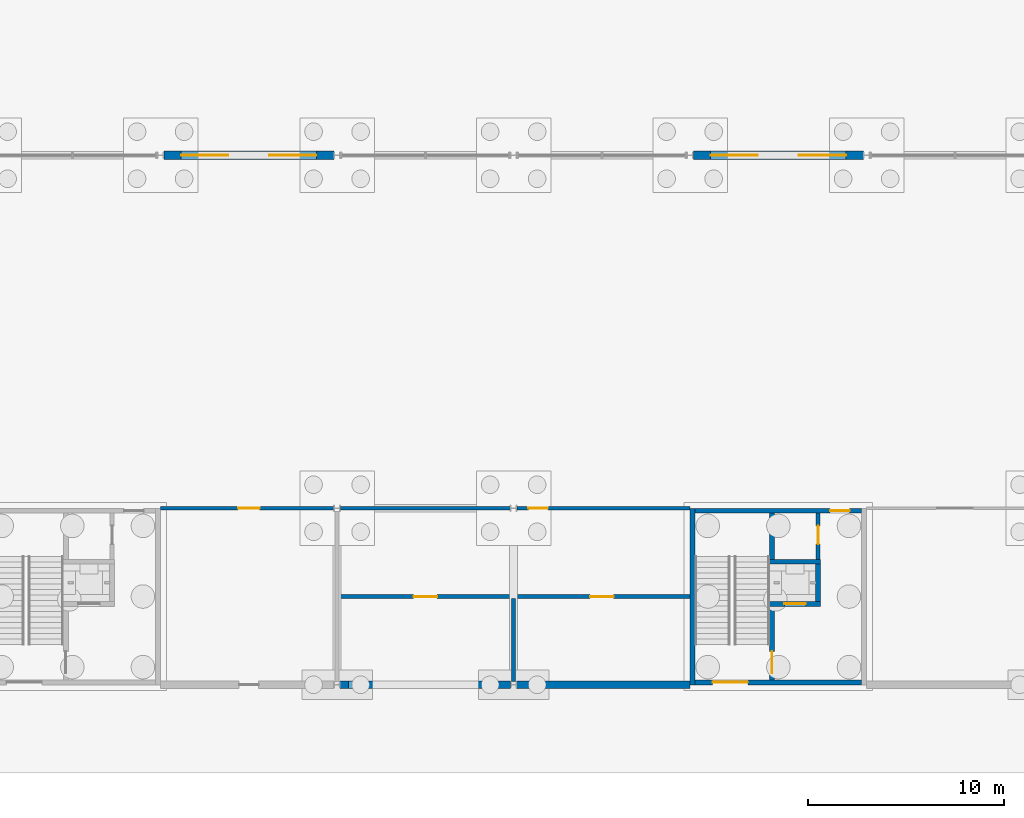
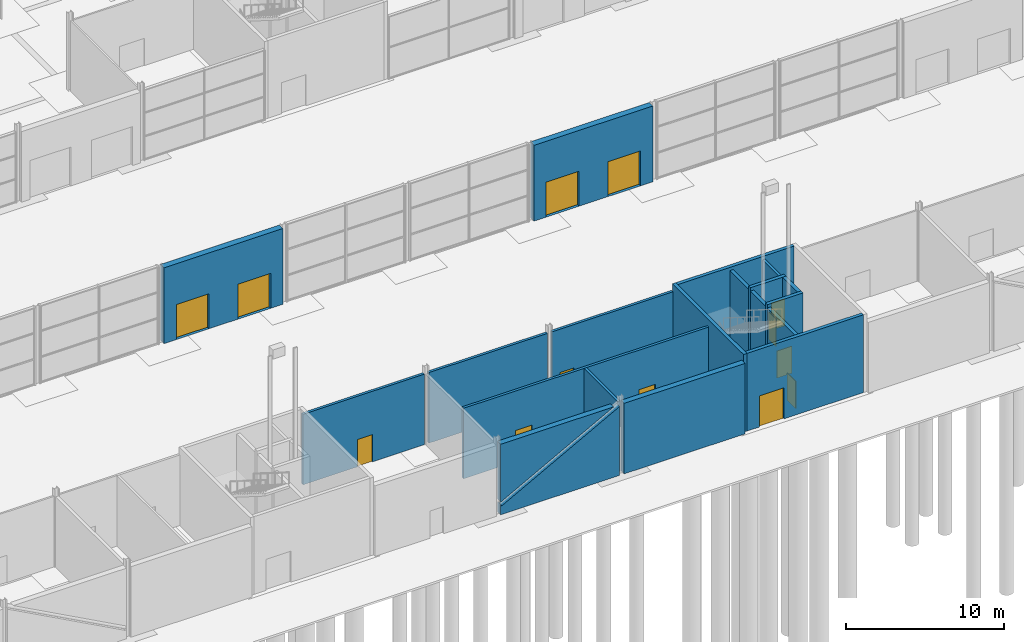
# One storey, part 64 of 97: 18 walls, 13 doors, 13 openings.
"""IFC4 building model written with IfcOpenShell, lengths in metres."""

import ifcopenshell
import ifcopenshell.guid

model = None  # the IFC model being written
_history = None  # IfcOwnerHistory: only IFC2X3 demands one
_inside = {}  # id of a spatial element -> (the spatial element, [elements in it])
_under = {}  # id of a project, library or spatial element -> (it, [spatial elements below it])
_declared = {}  # id of a project -> (the project, [libraries it declares])
_typed = {}  # id of a type object -> (the type object, [elements of that type])
_made_of = {}  # id of a material, layer set ... -> (it, [elements and type objects made of it])


def new_model(schema):
    """Start an empty IFC model of exactly this schema.

    Asked for "IFC4X3", IfcOpenShell would pick the latest addendum, in which some entities
    have other attributes; the version numbers below select the first issue.
    IFC2X3 requires an IfcOwnerHistory on every rooted entity: one is made here for all.
    """
    global model, _history
    if schema == "IFC4X3":
        model = ifcopenshell.file(schema_version=(4, 3, 0, 0))
    else:
        model = ifcopenshell.file(schema=schema)
    _inside.clear()
    _under.clear()
    _declared.clear()
    _typed.clear()
    _made_of.clear()
    _history = None
    if model.schema == "IFC2X3":
        org = make("IfcOrganization", Name="unknown")
        user = make(
            "IfcPersonAndOrganization",
            ThePerson=make("IfcPerson", FamilyName="unknown"),
            TheOrganization=org,
        )
        app = make(
            "IfcApplication",
            ApplicationDeveloper=org,
            Version="unknown",
            ApplicationFullName="unknown",
            ApplicationIdentifier="unknown",
        )
        _history = make(
            "IfcOwnerHistory",
            OwningUser=user,
            OwningApplication=app,
            ChangeAction="ADDED",
            CreationDate=0,
        )
    return model


def make(cls, **values):
    """One entity of the class cls with the attributes given. An attribute that is None is left unset."""
    return model.create_entity(
        cls, **{name: value for name, value in values.items() if value is not None}
    )


def rooted(cls, **values):
    """An entity with a GlobalId (a new one), such as an element, a storey or a relation."""
    return make(cls, GlobalId=ifcopenshell.guid.new(), OwnerHistory=_history, **values)


def si_unit(unit_type, name, prefix=None):
    """IfcSIUnit, for example si_unit("LENGTHUNIT", "METRE", prefix="MILLI")."""
    return make("IfcSIUnit", UnitType=unit_type, Prefix=prefix, Name=name)


def assignment(units):
    """IfcUnitAssignment: the units of a project."""
    return None if units is None else make("IfcUnitAssignment", Units=units)


def point(xyz):
    """IfcCartesianPoint."""
    return None if xyz is None else make("IfcCartesianPoint", Coordinates=xyz)


def direction(xyz):
    """IfcDirection."""
    return None if xyz is None else make("IfcDirection", DirectionRatios=xyz)


def frame(location, z_axis=None, x_axis=None):
    """IfcAxis2Placement3D, a coordinate frame: its origin and axes. An axis left out is left unset."""
    return make(
        "IfcAxis2Placement3D",
        Location=point(location),
        Axis=direction(z_axis),
        RefDirection=direction(x_axis),
    )


def frame_2d(location, x_axis=None):
    """IfcAxis2Placement2D, a coordinate frame in the plane: its origin and x axis."""
    return make(
        "IfcAxis2Placement2D", Location=point(location), RefDirection=direction(x_axis)
    )


def origin():
    """The frame at (0, 0, 0) with its axes left unset."""
    return frame((0.0, 0.0, 0.0))


def place(relative_to, where):
    """IfcLocalPlacement: puts the frame where relative to a parent placement (None: the world)."""
    return make(
        "IfcLocalPlacement", PlacementRelTo=relative_to, RelativePlacement=where
    )


def context(
    kind, dimensions, precision=None, world=None, true_north=None, identifier=None
):
    """IfcGeometricRepresentationContext, for example the 3D "Model" context."""
    return make(
        "IfcGeometricRepresentationContext",
        ContextIdentifier=identifier,
        ContextType=kind,
        CoordinateSpaceDimension=dimensions,
        Precision=precision,
        WorldCoordinateSystem=world,
        TrueNorth=true_north,
    )


def subcontext(parent, identifier, kind, view, scale=None):
    """IfcGeometricRepresentationSubContext, for example "Body" below "Model"."""
    return make(
        "IfcGeometricRepresentationSubContext",
        ContextIdentifier=identifier,
        ContextType=kind,
        ParentContext=parent,
        TargetScale=scale,
        TargetView=view,
    )


def project(units=None, contexts=None):
    """IfcProject with its units and contexts."""
    return rooted(
        "IfcProject",
        Name="project",
        RepresentationContexts=contexts,
        UnitsInContext=assignment(units),
    )


def spatial(cls, under=None, at=None, **own):
    """A site, building, storey or space (cls), placed at a placement, below another one or the project."""
    s = rooted(cls, ObjectPlacement=at, **own)
    if under is not None:
        _under.setdefault(under.id(), (under, []))[1].append(s)
    return s


def polyline(points):
    """IfcPolyline through the points."""
    return make("IfcPolyline", Points=[point(p) for p in points])


def profile(cls, at=None, kind="AREA", **sizes):
    """A parametric profile (cls). Its sizes go by their IFC names, for example OverallWidth=200.0."""
    return make(cls, ProfileType=kind, Position=at, **sizes)


def rectangle(**sizes):
    """IfcRectangleProfileDef."""
    return profile("IfcRectangleProfileDef", **sizes)


def outline(outer, holes=None, kind="AREA"):
    """IfcArbitraryClosedProfileDef: a profile drawn as a closed curve; with holes, ...WithVoids."""
    if holes is None:
        return make("IfcArbitraryClosedProfileDef", ProfileType=kind, OuterCurve=outer)
    return make(
        "IfcArbitraryProfileDefWithVoids",
        ProfileType=kind,
        OuterCurve=outer,
        InnerCurves=holes,
    )


def extrude(swept, where, along, depth):
    """IfcExtrudedAreaSolid: the profile swept, set in the frame where, extruded along a direction by depth."""
    return make(
        "IfcExtrudedAreaSolid",
        SweptArea=swept,
        Position=where,
        ExtrudedDirection=direction(along),
        Depth=depth,
    )


def shape(context_of_items, identifier, shape_type, items):
    """IfcShapeRepresentation: the items that make up one representation, for example the "Body"."""
    return make(
        "IfcShapeRepresentation",
        ContextOfItems=context_of_items,
        RepresentationIdentifier=identifier,
        RepresentationType=shape_type,
        Items=items,
    )


def material(Name=None, Category=None):
    """IfcMaterial."""
    return make("IfcMaterial", Name=Name, Category=Category)


def layer(
    of_material, thickness, ventilated=None, Name=None, Category=None, Priority=None
):
    """IfcMaterialLayer: one layer of a wall or slab, of a material (None: an air gap)."""
    return make(
        "IfcMaterialLayer",
        Material=of_material,
        LayerThickness=thickness,
        IsVentilated=ventilated,
        Name=Name,
        Category=Category,
        Priority=Priority,
    )


def layer_set(layers, Name=None):
    """IfcMaterialLayerSet."""
    return make("IfcMaterialLayerSet", MaterialLayers=layers, LayerSetName=Name)


def made_of(thing, what):
    """Note that an element or type object is made of a material, layer set ...; save() writes the relation."""
    if what is not None:
        _made_of.setdefault(what.id(), (what, []))[1].append(thing)
    return thing


def type_object(cls, material=None, **own):
    """A type object (cls), such as IfcWallType, which elements share."""
    return made_of(rooted(cls, **own), material)


def element(
    cls,
    number,
    at=None,
    inside=None,
    cuts=None,
    type_object=None,
    material=None,
    context=None,
    identifier="Body",
    shape_type=None,
    held_by="IfcProductDefinitionShape",
    body=None,
    shapes=None,
    **own,
):
    """One element of the class cls, such as IfcWall. Its Tag is "e" and its number.

    at: its placement. inside: the storey or other place that contains it. cuts: it is an
    opening in that element (IfcRelVoidsElement). A single representation is given by context,
    identifier, shape_type and body (its items); several are given by shapes. held_by: the class
    of the entity that holds the representations. save() writes the other relations.
    """
    e = rooted(cls, Tag="e%d" % number, ObjectPlacement=at, **own)
    if body is not None:
        shapes = [shape(context, identifier, shape_type, body)]
    if shapes is not None:
        e.Representation = make(held_by, Representations=shapes)
    if inside is not None:
        _inside.setdefault(inside.id(), (inside, []))[1].append(e)
    if cuts is not None:
        rooted(
            "IfcRelVoidsElement", RelatingBuildingElement=cuts, RelatedOpeningElement=e
        )
    if type_object is not None:
        _typed.setdefault(type_object.id(), (type_object, []))[1].append(e)
    return made_of(e, material)


def fill(opening, filler):
    """IfcRelFillsElement: the door or window that sits in an opening."""
    return rooted(
        "IfcRelFillsElement",
        RelatingOpeningElement=opening,
        RelatedBuildingElement=filler,
    )


def aggregate(whole, parts):
    """IfcRelAggregates: a whole, such as a stair, and the parts it consists of."""
    return rooted("IfcRelAggregates", RelatingObject=whole, RelatedObjects=parts)


def save(model, path):
    """Write the relations noted so far, then the file.

    IfcRelAggregates (storeys below a building ...), IfcRelContainedInSpatialStructure (elements
    in a storey), IfcRelDefinesByType, IfcRelAssociatesMaterial and IfcRelDeclares: one each for
    every whole, place, type object, material and project.
    """
    for whole, parts in _under.values():
        aggregate(whole, parts)
    for where, things in _inside.values():
        rooted(
            "IfcRelContainedInSpatialStructure",
            RelatedElements=things,
            RelatingStructure=where,
        )
    for kind, things in _typed.values():
        rooted("IfcRelDefinesByType", RelatedObjects=things, RelatingType=kind)
    for what, things in _made_of.values():
        rooted("IfcRelAssociatesMaterial", RelatedObjects=things, RelatingMaterial=what)
    for by, libraries in _declared.values():
        rooted("IfcRelDeclares", RelatingContext=by, RelatedDefinitions=libraries)
    model.write(path)


model = new_model("IFC4")

# Units and contexts
model_context = context("Model", 3, precision=1e-05, world=origin(), true_north=direction((0.0, 1.0)))
body_context = subcontext(model_context, "Body", "Model", "MODEL_VIEW")
ifc_project = project(units=[si_unit("LENGTHUNIT", "METRE"), si_unit("AREAUNIT", "SQUARE_METRE"), si_unit("VOLUMEUNIT", "CUBIC_METRE"), si_unit("PLANEANGLEUNIT", "RADIAN"), si_unit("MASSUNIT", "GRAM", prefix="KILO")], contexts=[model_context])

# Site, building, storey
site_placement = place(None, origin())
site = spatial("IfcSite", under=ifc_project, at=site_placement, CompositionType="ELEMENT")
building_placement = place(site_placement, origin())
building = spatial("IfcBuilding", under=site, at=building_placement, Name="Corbel Yard City Hall", CompositionType="ELEMENT")
storey_placement = place(building_placement, origin())
storey = spatial("IfcBuildingStorey", under=building, at=storey_placement, Name="L00", CompositionType="ELEMENT", Elevation=0.0)

# Wall
ifc_material_1 = material(Name="Concrete N50 (50 MPa)", Category="concrete")
ifc_layer_1 = layer(ifc_material_1, 0.25)
ifc_layer_set_1 = layer_set([ifc_layer_1], Name="Concrete N50 (50 MPa)")
wall_type_1 = type_object("IfcWallType", Name="Core cell wall 250", PredefinedType="SHEAR", material=ifc_layer_set_1)
wall_1_placement = place(storey_placement, frame((117.125, 0.0, 0.0), z_axis=(0.0, 0.0, 1.0), x_axis=(0.0, 1.0, 0.0)))
element("IfcWall", 1, at=wall_1_placement, inside=storey, type_object=wall_type_1, Name="Core PC-S3 west wall", PredefinedType="SHEAR", context=body_context, shape_type="SweptSolid", body=[
    extrude(rectangle(XDim=9.0, YDim=0.25, at=frame_2d((4.5, 0.0))), origin(), (0.0, 0.0, 1.0), 6.0),
])

# Wall, opening, door
wall_2_placement = place(storey_placement, frame((117.25, 0.125, 0.0), z_axis=(0.0, 0.0, 1.0), x_axis=(1.0, 0.0, 0.0)))
wall_2 = element("IfcWall", 2, at=wall_2_placement, inside=storey, type_object=wall_type_1, Name="Core PC-S3 south wall", PredefinedType="SHEAR", context=body_context, shape_type="SweptSolid", body=[
    extrude(rectangle(XDim=8.5, YDim=0.25, at=frame_2d((4.25, 0.0))), origin(), (0.0, 0.0, 1.0), 6.0),
])
opening_1_placement = place(wall_2_placement, frame((0.89990234375, 0.0, 0.0)))
opening_1 = element("IfcOpeningElement", 3, at=opening_1_placement, cuts=wall_2, Name="Opening L00-033", PredefinedType="OPENING", context=body_context, shape_type="SweptSolid", body=[
    extrude(rectangle(XDim=1.800048828125, YDim=2.39990234375, at=frame_2d((0.89990234375, 1.199951171875))), frame((0.0, 0.135009765625, 0.0), z_axis=(0.0, -1.0, 0.0), x_axis=(1.0, 0.0, 0.0)), (0.0, 0.0, 1.0), 0.27001953125),
])
ifc_material_2 = material(Name="Steel Grade G250, insulated infill", Category="steel")
door_type_1 = type_object("IfcDoorType", Name="XD2", OperationType="DOUBLE_DOOR_SINGLE_SWING", PredefinedType="DOOR", material=ifc_material_2)
door_1_placement = place(opening_1_placement, frame((1.800048828125, 0.0, 0.0), z_axis=(0.0, 0.0, 1.0), x_axis=(-1.0, 0.0, 0.0)))
door_1 = element("IfcDoor", 4, at=door_1_placement, inside=storey, type_object=door_type_1, Name="Stair exit door PC-S3", OperationType="DOUBLE_DOOR_SINGLE_SWING", OverallHeight=2.39990234375, OverallWidth=1.800048828125, PredefinedType="DOOR", context=body_context, shape_type="SweptSolid", body=[
    extrude(rectangle(XDim=1.800048828125, YDim=2.39990234375, at=frame_2d((0.89990234375, 1.199951171875))), frame((0.0, 0.02490234375, 0.0), z_axis=(0.0, -1.0, 0.0), x_axis=(1.0, 0.0, 0.0)), (0.0, 0.0, 1.0), 0.050048828125),
])
fill(opening_1, door_1)

wall_3_placement = place(storey_placement, frame((117.25, 8.875, 0.0), z_axis=(0.0, 0.0, 1.0), x_axis=(1.0, 0.0, 0.0)))
wall_3 = element("IfcWall", 5, at=wall_3_placement, inside=storey, type_object=wall_type_1, Name="Core PC-S3 north wall", PredefinedType="SHEAR", context=body_context, shape_type="SweptSolid", body=[
    extrude(rectangle(XDim=8.5, YDim=0.25, at=frame_2d((4.25, 0.0))), origin(), (0.0, 0.0, 1.0), 6.0),
])
opening_2_placement = place(wall_3_placement, frame((6.887451171875, 0.0, 0.0)))
opening_2 = element("IfcOpeningElement", 6, at=opening_2_placement, cuts=wall_3, Name="Opening L00-080", PredefinedType="OPENING", context=body_context, shape_type="SweptSolid", body=[
    extrude(rectangle(XDim=1.0, YDim=2.10009765625, at=frame_2d((0.5, 1.050048828125))), frame((0.0, 0.135009765625, 0.0), z_axis=(0.0, -1.0, 0.0), x_axis=(1.0, 0.0, 0.0)), (0.0, 0.0, 1.0), 0.27001953125),
])
ifc_material_3 = material(Name="Steel Grade G250", Category="steel")
door_type_2 = type_object("IfcDoorType", Name="FS1", OperationType="SINGLE_SWING_LEFT", PredefinedType="DOOR", material=ifc_material_3)
door_2_placement = place(opening_2_placement, frame((1.0, 0.0, 0.0), z_axis=(0.0, 0.0, 1.0), x_axis=(-1.0, 0.0, 0.0)))
door_2 = element("IfcDoor", 7, at=door_2_placement, inside=storey, type_object=door_type_2, Name="Door Lift Lobby", OperationType="SINGLE_SWING_RIGHT", OverallHeight=2.10009765625, OverallWidth=1.0, PredefinedType="DOOR", context=body_context, shape_type="SweptSolid", body=[
    extrude(rectangle(XDim=1.0, YDim=2.10009765625, at=frame_2d((0.5, 1.050048828125))), frame((0.0, 0.02490234375, 0.0), z_axis=(0.0, -1.0, 0.0), x_axis=(1.0, 0.0, 0.0)), (0.0, 0.0, 1.0), 0.050048828125),
])
fill(opening_2, door_2)

# Wall, openings, doors
ifc_material_4 = material(Name="Sandstone cladding", Category="masonry")
ifc_layer_2 = layer(ifc_material_4, 0.06005859375)
ifc_material_5 = material(Name="Air cavity", Category="air")
ifc_layer_3 = layer(ifc_material_5, 0.0400390625)
ifc_material_6 = material(Name="Concrete N40 (40 MPa)", Category="concrete")
ifc_layer_4 = layer(ifc_material_6, 0.25)
ifc_material_7 = material(Name="Mineral wool", Category="insulation")
ifc_layer_5 = layer(ifc_material_7, 0.10009765625)
ifc_layer_set_2 = layer_set([ifc_layer_2, ifc_layer_3, ifc_layer_4, ifc_layer_5], Name="Concrete N40 (40 MPa)")
wall_type_2 = type_object("IfcWallType", Name="EW2", PredefinedType="SOLIDWALL", material=ifc_layer_set_2)
wall_4_placement = place(storey_placement, frame((90.16357421875, 27.0, 0.0), z_axis=(0.0, 0.0, 1.0), x_axis=(1.0, 0.0, 0.0)))
wall_4 = element("IfcWall", 8, at=wall_4_placement, inside=storey, type_object=wall_type_2, Name="Entrance pier wall", PredefinedType="SOLIDWALL", context=body_context, shape_type="SweptSolid", body=[
    extrude(rectangle(XDim=8.6728515625, YDim=0.449951171875, at=frame_2d((4.33642578125, 0.0))), origin(), (0.0, 0.0, 1.0), 5.85009765625),
])
opening_3_placement = place(wall_4_placement, frame((0.886474609375, 0.0, 0.0)))
opening_3 = element("IfcOpeningElement", 9, at=opening_3_placement, cuts=wall_4, Name="Opening L00-005", PredefinedType="OPENING", context=body_context, shape_type="SweptSolid", body=[
    extrude(rectangle(XDim=2.39990234375, YDim=2.699951171875, at=frame_2d((1.199951171875, 1.35009765625))), frame((0.0, 0.23486328125, 0.0), z_axis=(0.0, -1.0, 0.0), x_axis=(1.0, 0.0, 0.0)), (0.0, 0.0, 1.0), 0.469970703125),
])
opening_4_placement = place(wall_4_placement, frame((5.386474609375, 0.0, 0.0)))
opening_4 = element("IfcOpeningElement", 10, at=opening_4_placement, cuts=wall_4, Name="Opening L00-006", PredefinedType="OPENING", context=body_context, shape_type="SweptSolid", body=[
    extrude(rectangle(XDim=2.39990234375, YDim=2.699951171875, at=frame_2d((1.199951171875, 1.35009765625))), frame((0.0, 0.23486328125, 0.0), z_axis=(0.0, -1.0, 0.0), x_axis=(1.0, 0.0, 0.0)), (0.0, 0.0, 1.0), 0.469970703125),
])
ifc_material_8 = material(Name="Aluminium frame, toughened laminated glass", Category="aluminium")
door_type_3 = type_object("IfcDoorType", Name="XD1", OperationType="DOUBLE_DOOR_SINGLE_SWING", PredefinedType="DOOR", material=ifc_material_8)
door_3_placement = place(opening_3_placement, origin())
door_3 = element("IfcDoor", 11, at=door_3_placement, inside=storey, type_object=door_type_3, Name="Public Hall entrance 3 door 1", OperationType="DOUBLE_DOOR_SINGLE_SWING", OverallHeight=2.699951171875, OverallWidth=2.39990234375, PredefinedType="DOOR", context=body_context, shape_type="SweptSolid", body=[
    extrude(rectangle(XDim=2.39990234375, YDim=2.699951171875, at=frame_2d((1.199951171875, 1.35009765625))), frame((0.0, 0.02490234375, 0.0), z_axis=(0.0, -1.0, 0.0), x_axis=(1.0, 0.0, 0.0)), (0.0, 0.0, 1.0), 0.050048828125),
])
fill(opening_3, door_3)
door_4_placement = place(opening_4_placement, origin())
door_4 = element("IfcDoor", 12, at=door_4_placement, inside=storey, type_object=door_type_3, Name="Public Hall entrance 3 door 2", OperationType="DOUBLE_DOOR_SINGLE_SWING", OverallHeight=2.699951171875, OverallWidth=2.39990234375, PredefinedType="DOOR", context=body_context, shape_type="SweptSolid", body=[
    extrude(rectangle(XDim=2.39990234375, YDim=2.699951171875, at=frame_2d((1.199951171875, 1.35009765625))), frame((0.0, 0.02490234375, 0.0), z_axis=(0.0, -1.0, 0.0), x_axis=(1.0, 0.0, 0.0)), (0.0, 0.0, 1.0), 0.050048828125),
])
fill(opening_4, door_4)

wall_5_placement = place(storey_placement, frame((117.16357421875, 27.0, 0.0), z_axis=(0.0, 0.0, 1.0), x_axis=(1.0, 0.0, 0.0)))
wall_5 = element("IfcWall", 13, at=wall_5_placement, inside=storey, type_object=wall_type_2, Name="Entrance pier wall", PredefinedType="SOLIDWALL", context=body_context, shape_type="SweptSolid", body=[
    extrude(rectangle(XDim=8.6728515625, YDim=0.449951171875, at=frame_2d((4.33642578125, 0.0))), origin(), (0.0, 0.0, 1.0), 5.85009765625),
])
opening_5_placement = place(wall_5_placement, frame((0.886474609375, 0.0, 0.0)))
opening_5 = element("IfcOpeningElement", 14, at=opening_5_placement, cuts=wall_5, Name="Opening L00-007", PredefinedType="OPENING", context=body_context, shape_type="SweptSolid", body=[
    extrude(rectangle(XDim=2.39990234375, YDim=2.699951171875, at=frame_2d((1.199951171875, 1.35009765625))), frame((0.0, 0.23486328125, 0.0), z_axis=(0.0, -1.0, 0.0), x_axis=(1.0, 0.0, 0.0)), (0.0, 0.0, 1.0), 0.469970703125),
])
opening_6_placement = place(wall_5_placement, frame((5.386474609375, 0.0, 0.0)))
opening_6 = element("IfcOpeningElement", 15, at=opening_6_placement, cuts=wall_5, Name="Opening L00-008", PredefinedType="OPENING", context=body_context, shape_type="SweptSolid", body=[
    extrude(rectangle(XDim=2.39990234375, YDim=2.699951171875, at=frame_2d((1.199951171875, 1.35009765625))), frame((0.0, 0.23486328125, 0.0), z_axis=(0.0, -1.0, 0.0), x_axis=(1.0, 0.0, 0.0)), (0.0, 0.0, 1.0), 0.469970703125),
])
door_5_placement = place(opening_5_placement, origin())
door_5 = element("IfcDoor", 16, at=door_5_placement, inside=storey, type_object=door_type_3, Name="Public Hall entrance 4 door 1", OperationType="DOUBLE_DOOR_SINGLE_SWING", OverallHeight=2.699951171875, OverallWidth=2.39990234375, PredefinedType="DOOR", context=body_context, shape_type="SweptSolid", body=[
    extrude(rectangle(XDim=2.39990234375, YDim=2.699951171875, at=frame_2d((1.199951171875, 1.35009765625))), frame((0.0, 0.02490234375, 0.0), z_axis=(0.0, -1.0, 0.0), x_axis=(1.0, 0.0, 0.0)), (0.0, 0.0, 1.0), 0.050048828125),
])
fill(opening_5, door_5)
door_6_placement = place(opening_6_placement, origin())
door_6 = element("IfcDoor", 17, at=door_6_placement, inside=storey, type_object=door_type_3, Name="Public Hall entrance 4 door 2", OperationType="DOUBLE_DOOR_SINGLE_SWING", OverallHeight=2.699951171875, OverallWidth=2.39990234375, PredefinedType="DOOR", context=body_context, shape_type="SweptSolid", body=[
    extrude(rectangle(XDim=2.39990234375, YDim=2.699951171875, at=frame_2d((1.199951171875, 1.35009765625))), frame((0.0, 0.02490234375, 0.0), z_axis=(0.0, -1.0, 0.0), x_axis=(1.0, 0.0, 0.0)), (0.0, 0.0, 1.0), 0.050048828125),
])
fill(opening_6, door_6)

# Walls
ifc_material_9 = material(Name="Gypsum plasterboard", Category="gypsum")
ifc_layer_6 = layer(ifc_material_9, 0.031982421875)
ifc_layer_7 = layer(ifc_material_5, 0.133056640625)
ifc_material_10 = material(Name="Concrete block", Category="concrete")
ifc_layer_8 = layer(ifc_material_10, 0.18994140625)
ifc_material_11 = material(Name="Cement render", Category="render")
ifc_layer_9 = layer(ifc_material_11, 0.0400390625)
ifc_material_12 = material(Name="Acoustic sealant", Category="sealant")
ifc_layer_10 = layer(ifc_material_12, 0.0048828125)
ifc_layer_set_3 = layer_set([ifc_layer_6, ifc_layer_7, ifc_layer_8, ifc_layer_9, ifc_layer_10], Name="Concrete block")
wall_type_3 = type_object("IfcWallType", Name="EW3", PredefinedType="SOLIDWALL", material=ifc_layer_set_3)
wall_6_placement = place(storey_placement, frame((99.157470703125, 0.0, 0.0), z_axis=(0.0, 0.0, 1.0), x_axis=(1.0, 0.0, 0.0)))
element("IfcWall", 18, at=wall_6_placement, inside=storey, type_object=wall_type_3, Name="Acoustic wall", PredefinedType="SOLIDWALL", context=body_context, shape_type="SweptSolid", body=[
    extrude(outline(polyline([(8.68505859375, 0.0), (0.0, 0.0), (0.0, 0.800048828125), (0.074462890625, 0.662353515625), (8.68505859375, 5.322021484375), (8.68505859375, 0.0)])), frame((0.0, 0.199951171875, 0.0), z_axis=(0.0, -1.0, 0.0), x_axis=(1.0, 0.0, 0.0)), (0.0, 0.0, 1.0), 0.39990234375),
])
wall_7_placement = place(storey_placement, frame((99.157470703125, 0.0, 0.0), z_axis=(0.0, 0.0, 1.0), x_axis=(1.0, 0.0, 0.0)))
element("IfcWall", 19, at=wall_7_placement, inside=storey, type_object=wall_type_3, Name="Acoustic wall", PredefinedType="SOLIDWALL", context=body_context, shape_type="SweptSolid", body=[
    extrude(outline(polyline([(0.0, 5.444091796875), (8.252685546875, 5.444091796875), (0.0, 0.97802734375), (0.0, 5.444091796875)])), frame((0.0, 0.199951171875, 0.0), z_axis=(0.0, -1.0, 0.0), x_axis=(1.0, 0.0, 0.0)), (0.0, 0.0, 1.0), 0.39990234375),
])
wall_8_placement = place(storey_placement, frame((108.157470703125, 0.0, 0.0), z_axis=(0.0, 0.0, 1.0), x_axis=(1.0, 0.0, 0.0)))
element("IfcWall", 20, at=wall_8_placement, inside=storey, type_object=wall_type_3, Name="Acoustic wall", PredefinedType="SOLIDWALL", context=body_context, shape_type="SweptSolid", body=[
    extrude(rectangle(XDim=8.842529296875, YDim=0.39990234375, at=frame_2d((4.42138671875, 0.0))), origin(), (0.0, 0.0, 1.0), 5.444091796875),
])

# Wall, opening, door
ifc_layer_11 = layer(ifc_material_6, 0.25)
ifc_layer_set_4 = layer_set([ifc_layer_11], Name="Concrete N40 (40 MPa)")
wall_type_4 = type_object("IfcWallType", Name="IW2", PredefinedType="SOLIDWALL", material=ifc_layer_set_4)
wall_9_placement = place(storey_placement, frame((121.175048828125, 0.25, 0.0), z_axis=(0.0, 0.0, 1.0), x_axis=(0.0, 1.0, 0.0)))
wall_9 = element("IfcWall", 21, at=wall_9_placement, inside=storey, type_object=wall_type_4, Name="Stair enclosure wall", PredefinedType="SOLIDWALL", context=body_context, shape_type="SweptSolid", body=[
    extrude(rectangle(XDim=8.5, YDim=0.25, at=frame_2d((4.25, 0.0))), origin(), (0.0, 0.0, 1.0), 5.75),
])
opening_7_placement = place(wall_9_placement, frame((0.35009765625, 0.0, 0.0)))
opening_7 = element("IfcOpeningElement", 22, at=opening_7_placement, cuts=wall_9, Name="Opening L00-079", PredefinedType="OPENING", context=body_context, shape_type="SweptSolid", body=[
    extrude(rectangle(XDim=1.10009765625, YDim=2.10009765625, at=frame_2d((0.550048828125, 1.050048828125))), frame((0.0, 0.135009765625, 0.0), z_axis=(0.0, -1.0, 0.0), x_axis=(1.0, 0.0, 0.0)), (0.0, 0.0, 1.0), 0.27001953125),
])
door_type_4 = type_object("IfcDoorType", Name="FS11", OperationType="SINGLE_SWING_LEFT", PredefinedType="DOOR", material=ifc_material_3)
door_7_placement = place(opening_7_placement, origin())
door_7 = element("IfcDoor", 23, at=door_7_placement, inside=storey, type_object=door_type_4, Name="Door Exit Stair 4", OperationType="SINGLE_SWING_LEFT", OverallHeight=2.10009765625, OverallWidth=1.10009765625, PredefinedType="DOOR", context=body_context, shape_type="SweptSolid", body=[
    extrude(rectangle(XDim=1.10009765625, YDim=2.10009765625, at=frame_2d((0.550048828125, 1.050048828125))), frame((0.0, 0.02490234375, 0.0), z_axis=(0.0, -1.0, 0.0), x_axis=(1.0, 0.0, 0.0)), (0.0, 0.0, 1.0), 0.050048828125),
])
fill(opening_7, door_7)

wall_10_placement = place(storey_placement, frame((121.050048828125, 4.125, -1.39990234375), z_axis=(0.0, 0.0, 1.0), x_axis=(1.0, 0.0, 0.0)))
wall_10 = element("IfcWall", 24, at=wall_10_placement, inside=storey, type_object=wall_type_4, Name="Lift LP4 shaft wall", PredefinedType="SOLIDWALL", context=body_context, shape_type="SweptSolid", body=[
    extrude(rectangle(XDim=2.599853515625, YDim=0.25, at=frame_2d((1.2998046875, 0.0))), origin(), (0.0, 0.0, 1.0), 7.39990234375),
])
opening_8_placement = place(wall_10_placement, frame((0.75, 0.0, 1.39990234375)))
opening_8 = element("IfcOpeningElement", 25, at=opening_8_placement, cuts=wall_10, Name="Opening L00-060", PredefinedType="OPENING", context=body_context, shape_type="SweptSolid", body=[
    extrude(rectangle(XDim=1.10009765625, YDim=2.10009765625, at=frame_2d((0.550048828125, 1.050048828125))), frame((0.0, 0.135009765625, 0.0), z_axis=(0.0, -1.0, 0.0), x_axis=(1.0, 0.0, 0.0)), (0.0, 0.0, 1.0), 0.27001953125),
])
ifc_material_13 = material(Name="Stainless steel Grade 316", Category="steel")
door_type_5 = type_object("IfcDoorType", Name="LD1", OperationType="DOUBLE_DOOR_SLIDING", PredefinedType="DOOR", material=ifc_material_13)
door_8_placement = place(opening_8_placement, origin())
door_8 = element("IfcDoor", 26, at=door_8_placement, inside=storey, type_object=door_type_5, Name="Lift LP4 landing door", OperationType="DOUBLE_DOOR_SLIDING", OverallHeight=2.10009765625, OverallWidth=1.10009765625, PredefinedType="DOOR", context=body_context, shape_type="SweptSolid", body=[
    extrude(rectangle(XDim=1.10009765625, YDim=2.10009765625, at=frame_2d((0.550048828125, 1.050048828125))), frame((0.0, 0.02490234375, 0.0), z_axis=(0.0, -1.0, 0.0), x_axis=(1.0, 0.0, 0.0)), (0.0, 0.0, 1.0), 0.050048828125),
])
fill(opening_8, door_8)

# Walls
wall_11_placement = place(storey_placement, frame((121.050048828125, 6.27490234375, -1.39990234375), z_axis=(0.0, 0.0, 1.0), x_axis=(1.0, 0.0, 0.0)))
element("IfcWall", 27, at=wall_11_placement, inside=storey, type_object=wall_type_4, Name="Lift LP4 shaft wall", PredefinedType="SOLIDWALL", context=body_context, shape_type="SweptSolid", body=[
    extrude(rectangle(XDim=2.599853515625, YDim=0.25, at=frame_2d((1.2998046875, 0.0))), origin(), (0.0, 0.0, 1.0), 7.39990234375),
])
wall_12_placement = place(storey_placement, frame((123.52490234375, 4.25, -1.39990234375), z_axis=(0.0, 0.0, 1.0), x_axis=(0.0, 1.0, 0.0)))
element("IfcWall", 28, at=wall_12_placement, inside=storey, type_object=wall_type_4, Name="Lift LP4 shaft wall", PredefinedType="SOLIDWALL", context=body_context, shape_type="SweptSolid", body=[
    extrude(rectangle(XDim=1.89990234375, YDim=0.25, at=frame_2d((0.949951171875, 0.0))), origin(), (0.0, 0.0, 1.0), 7.39990234375),
])

# Wall, openings, doors
ifc_material_14 = material(Name="Concrete block", Category="concrete")
ifc_layer_12 = layer(ifc_material_14, 0.18994140625)
ifc_layer_set_5 = layer_set([ifc_layer_12], Name="Concrete block")
wall_type_5 = type_object("IfcWallType", Name="PT4", PredefinedType="PARTITIONING", material=ifc_layer_set_5)
wall_13_placement = place(storey_placement, frame((99.094970703125, 4.5, 0.0), z_axis=(0.0, 0.0, 1.0), x_axis=(1.0, 0.0, 0.0)))
wall_13 = element("IfcWall", 29, at=wall_13_placement, inside=storey, type_object=wall_type_5, Name="Fire-resisting block wall", PredefinedType="PARTITIONING", context=body_context, shape_type="SweptSolid", body=[
    extrude(rectangle(XDim=17.905029296875, YDim=0.18994140625, at=frame_2d((8.95263671875, 0.0))), origin(), (0.0, 0.0, 1.0), 5.447021484375),
])
opening_9_placement = place(wall_13_placement, frame((3.804931640625, 0.0, 0.0)))
opening_9 = element("IfcOpeningElement", 30, at=opening_9_placement, cuts=wall_13, Name="Opening L00-093", PredefinedType="OPENING", context=body_context, shape_type="SweptSolid", body=[
    extrude(rectangle(XDim=1.199951171875, YDim=2.39990234375, at=frame_2d((0.60009765625, 1.199951171875))), frame((0.0, 0.10498046875, 0.0), z_axis=(0.0, -1.0, 0.0), x_axis=(1.0, 0.0, 0.0)), (0.0, 0.0, 1.0), 0.2099609375),
])
opening_10_placement = place(wall_13_placement, frame((12.804931640625, 0.0, 0.0)))
opening_10 = element("IfcOpeningElement", 31, at=opening_10_placement, cuts=wall_13, Name="Opening L00-094", PredefinedType="OPENING", context=body_context, shape_type="SweptSolid", body=[
    extrude(rectangle(XDim=1.199951171875, YDim=2.39990234375, at=frame_2d((0.60009765625, 1.199951171875))), frame((0.0, 0.10498046875, 0.0), z_axis=(0.0, -1.0, 0.0), x_axis=(1.0, 0.0, 0.0)), (0.0, 0.0, 1.0), 0.2099609375),
])
door_type_6 = type_object("IfcDoorType", Name="FS12", OperationType="SINGLE_SWING_RIGHT", PredefinedType="DOOR", material=ifc_material_3)
door_9_placement = place(opening_9_placement, frame((1.199951171875, 0.0, 0.0), z_axis=(0.0, 0.0, 1.0), x_axis=(-1.0, 0.0, 0.0)))
door_9 = element("IfcDoor", 32, at=door_9_placement, inside=storey, type_object=door_type_6, Name="Door Plant Corridor", OperationType="SINGLE_SWING_RIGHT", OverallHeight=2.39990234375, OverallWidth=1.199951171875, PredefinedType="DOOR", context=body_context, shape_type="SweptSolid", body=[
    extrude(rectangle(XDim=1.199951171875, YDim=2.39990234375, at=frame_2d((0.60009765625, 1.199951171875))), frame((0.0, 0.02490234375, 0.0), z_axis=(0.0, -1.0, 0.0), x_axis=(1.0, 0.0, 0.0)), (0.0, 0.0, 1.0), 0.050048828125),
])
fill(opening_9, door_9)
door_10_placement = place(opening_10_placement, frame((1.199951171875, 0.0, 0.0), z_axis=(0.0, 0.0, 1.0), x_axis=(-1.0, 0.0, 0.0)))
door_10 = element("IfcDoor", 33, at=door_10_placement, inside=storey, type_object=door_type_6, Name="Door Plant Corridor", OperationType="SINGLE_SWING_RIGHT", OverallHeight=2.39990234375, OverallWidth=1.199951171875, PredefinedType="DOOR", context=body_context, shape_type="SweptSolid", body=[
    extrude(rectangle(XDim=1.199951171875, YDim=2.39990234375, at=frame_2d((0.60009765625, 1.199951171875))), frame((0.0, 0.02490234375, 0.0), z_axis=(0.0, -1.0, 0.0), x_axis=(1.0, 0.0, 0.0)), (0.0, 0.0, 1.0), 0.050048828125),
])
fill(opening_10, door_10)

# Wall, opening, door
wall_14_placement = place(storey_placement, frame((90.0, 9.0, 0.0), z_axis=(0.0, 0.0, 1.0), x_axis=(1.0, 0.0, 0.0)))
wall_14 = element("IfcWall", 34, at=wall_14_placement, inside=storey, type_object=wall_type_5, Name="Fire-resisting block wall", PredefinedType="PARTITIONING", context=body_context, shape_type="SweptSolid", body=[
    extrude(rectangle(XDim=8.83642578125, YDim=0.18994140625, at=frame_2d((4.418212890625, 0.0))), origin(), (0.0, 0.0, 1.0), 5.444091796875),
])
opening_11_placement = place(wall_14_placement, frame((3.949951171875, 0.0, 0.0)))
opening_11 = element("IfcOpeningElement", 35, at=opening_11_placement, cuts=wall_14, Name="Opening L00-091", PredefinedType="OPENING", context=body_context, shape_type="SweptSolid", body=[
    extrude(rectangle(XDim=1.10009765625, YDim=2.10009765625, at=frame_2d((0.550048828125, 1.050048828125))), frame((0.0, 0.10498046875, 0.0), z_axis=(0.0, -1.0, 0.0), x_axis=(1.0, 0.0, 0.0)), (0.0, 0.0, 1.0), 0.2099609375),
])
door_11_placement = place(opening_11_placement, frame((1.10009765625, 0.0, 0.0), z_axis=(0.0, 0.0, 1.0), x_axis=(-1.0, 0.0, 0.0)))
door_11 = element("IfcDoor", 36, at=door_11_placement, inside=storey, type_object=door_type_4, Name="Door Fire Control Room", OperationType="SINGLE_SWING_LEFT", OverallHeight=2.10009765625, OverallWidth=1.10009765625, PredefinedType="DOOR", context=body_context, shape_type="SweptSolid", body=[
    extrude(rectangle(XDim=1.10009765625, YDim=2.10009765625, at=frame_2d((0.550048828125, 1.050048828125))), frame((0.0, 0.02490234375, 0.0), z_axis=(0.0, -1.0, 0.0), x_axis=(1.0, 0.0, 0.0)), (0.0, 0.0, 1.0), 0.050048828125),
])
fill(opening_11, door_11)

# Wall
wall_15_placement = place(storey_placement, frame((99.16357421875, 9.0, 0.0), z_axis=(0.0, 0.0, 1.0), x_axis=(1.0, 0.0, 0.0)))
element("IfcWall", 37, at=wall_15_placement, inside=storey, type_object=wall_type_5, Name="Fire-resisting block wall", PredefinedType="PARTITIONING", context=body_context, shape_type="SweptSolid", body=[
    extrude(rectangle(XDim=8.6728515625, YDim=0.18994140625, at=frame_2d((4.33642578125, 0.0))), origin(), (0.0, 0.0, 1.0), 5.444091796875),
])

# Wall, opening, door
wall_16_placement = place(storey_placement, frame((108.16357421875, 9.0, 0.0), z_axis=(0.0, 0.0, 1.0), x_axis=(1.0, 0.0, 0.0)))
wall_16 = element("IfcWall", 38, at=wall_16_placement, inside=storey, type_object=wall_type_5, Name="Fire-resisting block wall", PredefinedType="PARTITIONING", context=body_context, shape_type="SweptSolid", body=[
    extrude(rectangle(XDim=8.83642578125, YDim=0.18994140625, at=frame_2d((4.418212890625, 0.0))), origin(), (0.0, 0.0, 1.0), 5.444091796875),
])
opening_12_placement = place(wall_16_placement, frame((0.58642578125, 0.0, 0.0)))
opening_12 = element("IfcOpeningElement", 39, at=opening_12_placement, cuts=wall_16, Name="Opening L00-092", PredefinedType="OPENING", context=body_context, shape_type="SweptSolid", body=[
    extrude(rectangle(XDim=1.0, YDim=2.10009765625, at=frame_2d((0.5, 1.050048828125))), frame((0.0, 0.10498046875, 0.0), z_axis=(0.0, -1.0, 0.0), x_axis=(1.0, 0.0, 0.0)), (0.0, 0.0, 1.0), 0.2099609375),
])
door_12_placement = place(opening_12_placement, frame((1.0, 0.0, 0.0), z_axis=(0.0, 0.0, 1.0), x_axis=(-1.0, 0.0, 0.0)))
door_12 = element("IfcDoor", 40, at=door_12_placement, inside=storey, type_object=door_type_2, Name="Door Plant Corridor", OperationType="SINGLE_SWING_LEFT", OverallHeight=2.10009765625, OverallWidth=1.0, PredefinedType="DOOR", context=body_context, shape_type="SweptSolid", body=[
    extrude(rectangle(XDim=1.0, YDim=2.10009765625, at=frame_2d((0.5, 1.050048828125))), frame((0.0, 0.02490234375, 0.0), z_axis=(0.0, -1.0, 0.0), x_axis=(1.0, 0.0, 0.0)), (0.0, 0.0, 1.0), 0.050048828125),
])
fill(opening_12, door_12)

# Wall
wall_17_placement = place(storey_placement, frame((108.0, 0.157470703125, 0.0), z_axis=(0.0, 0.0, 1.0), x_axis=(0.0, 1.0, 0.0)))
element("IfcWall", 41, at=wall_17_placement, inside=storey, type_object=wall_type_5, Name="Fire-resisting block wall", PredefinedType="PARTITIONING", context=body_context, shape_type="SweptSolid", body=[
    extrude(rectangle(XDim=4.24755859375, YDim=0.18994140625, at=frame_2d((2.123779296875, 0.0))), origin(), (0.0, 0.0, 1.0), 5.447021484375),
])

# Wall, opening, door
wall_18_placement = place(storey_placement, frame((123.52490234375, 6.39990234375, 0.0), z_axis=(0.0, 0.0, 1.0), x_axis=(0.0, 1.0, 0.0)))
wall_18 = element("IfcWall", 42, at=wall_18_placement, inside=storey, type_object=wall_type_5, Name="Fire-resisting block wall", PredefinedType="PARTITIONING", context=body_context, shape_type="SweptSolid", body=[
    extrude(rectangle(XDim=2.35009765625, YDim=0.18994140625, at=frame_2d((1.175048828125, 0.0))), origin(), (0.0, 0.0, 1.0), 5.75),
])
opening_13_placement = place(wall_18_placement, frame((0.777587890625, 0.0, 0.0)))
opening_13 = element("IfcOpeningElement", 43, at=opening_13_placement, cuts=wall_18, Name="Opening L00-081", PredefinedType="OPENING", context=body_context, shape_type="SweptSolid", body=[
    extrude(rectangle(XDim=0.919921875, YDim=2.10009765625, at=frame_2d((0.4599609375, 1.050048828125))), frame((0.0, 0.10498046875, 0.0), z_axis=(0.0, -1.0, 0.0), x_axis=(1.0, 0.0, 0.0)), (0.0, 0.0, 1.0), 0.2099609375),
])
door_type_7 = type_object("IfcDoorType", Name="FS5", OperationType="SINGLE_SWING_RIGHT", PredefinedType="DOOR", material=ifc_material_3)
door_13_placement = place(opening_13_placement, origin())
door_13 = element("IfcDoor", 44, at=door_13_placement, inside=storey, type_object=door_type_7, Name="Door Service Riser", OperationType="SINGLE_SWING_RIGHT", OverallHeight=2.10009765625, OverallWidth=0.919921875, PredefinedType="DOOR", context=body_context, shape_type="SweptSolid", body=[
    extrude(rectangle(XDim=0.919921875, YDim=2.10009765625, at=frame_2d((0.4599609375, 1.050048828125))), frame((0.0, 0.02490234375, 0.0), z_axis=(0.0, -1.0, 0.0), x_axis=(1.0, 0.0, 0.0)), (0.0, 0.0, 1.0), 0.050048828125),
])
fill(opening_13, door_13)

save(model, "model.ifc")
